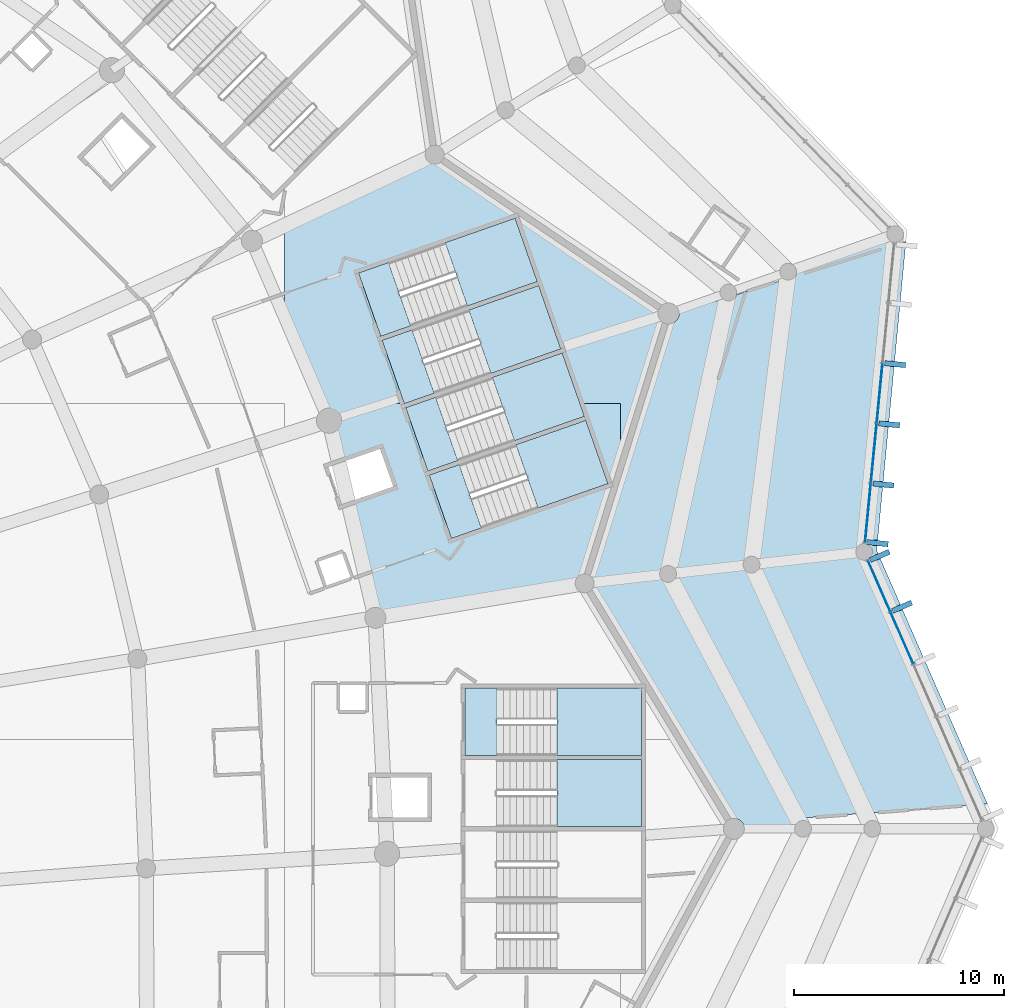
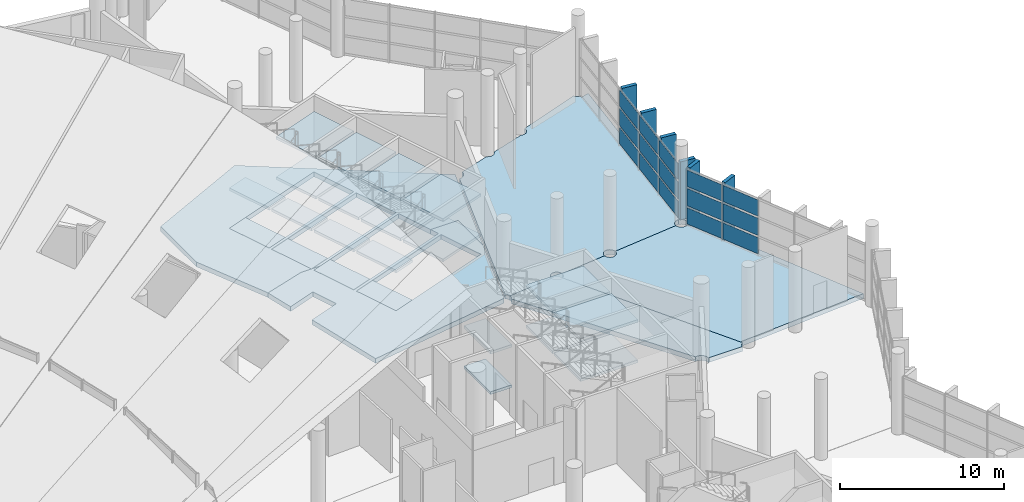
# One storey, part 130 of 249: 27 slabs, 21 plates, 8 elements without a shape of their own.
"""IFC4 building model written with IfcOpenShell, lengths in metres."""

import ifcopenshell
import ifcopenshell.guid

model = None  # the IFC model being written
_history = None  # IfcOwnerHistory: only IFC2X3 demands one
_inside = {}  # id of a spatial element -> (the spatial element, [elements in it])
_under = {}  # id of a project, library or spatial element -> (it, [spatial elements below it])
_declared = {}  # id of a project -> (the project, [libraries it declares])
_typed = {}  # id of a type object -> (the type object, [elements of that type])
_made_of = {}  # id of a material, layer set ... -> (it, [elements and type objects made of it])


def new_model(schema):
    """Start an empty IFC model of exactly this schema.

    Asked for "IFC4X3", IfcOpenShell would pick the latest addendum, in which some entities
    have other attributes; the version numbers below select the first issue.
    IFC2X3 requires an IfcOwnerHistory on every rooted entity: one is made here for all.
    """
    global model, _history
    if schema == "IFC4X3":
        model = ifcopenshell.file(schema_version=(4, 3, 0, 0))
    else:
        model = ifcopenshell.file(schema=schema)
    _inside.clear()
    _under.clear()
    _declared.clear()
    _typed.clear()
    _made_of.clear()
    _history = None
    if model.schema == "IFC2X3":
        org = make("IfcOrganization", Name="unknown")
        user = make(
            "IfcPersonAndOrganization",
            ThePerson=make("IfcPerson", FamilyName="unknown"),
            TheOrganization=org,
        )
        app = make(
            "IfcApplication",
            ApplicationDeveloper=org,
            Version="unknown",
            ApplicationFullName="unknown",
            ApplicationIdentifier="unknown",
        )
        _history = make(
            "IfcOwnerHistory",
            OwningUser=user,
            OwningApplication=app,
            ChangeAction="ADDED",
            CreationDate=0,
        )
    return model


def make(cls, **values):
    """One entity of the class cls with the attributes given. An attribute that is None is left unset."""
    return model.create_entity(
        cls, **{name: value for name, value in values.items() if value is not None}
    )


def rooted(cls, **values):
    """An entity with a GlobalId (a new one), such as an element, a storey or a relation."""
    return make(cls, GlobalId=ifcopenshell.guid.new(), OwnerHistory=_history, **values)


def si_unit(unit_type, name, prefix=None):
    """IfcSIUnit, for example si_unit("LENGTHUNIT", "METRE", prefix="MILLI")."""
    return make("IfcSIUnit", UnitType=unit_type, Prefix=prefix, Name=name)


def assignment(units):
    """IfcUnitAssignment: the units of a project."""
    return None if units is None else make("IfcUnitAssignment", Units=units)


def point(xyz):
    """IfcCartesianPoint."""
    return None if xyz is None else make("IfcCartesianPoint", Coordinates=xyz)


def direction(xyz):
    """IfcDirection."""
    return None if xyz is None else make("IfcDirection", DirectionRatios=xyz)


def frame(location, z_axis=None, x_axis=None):
    """IfcAxis2Placement3D, a coordinate frame: its origin and axes. An axis left out is left unset."""
    return make(
        "IfcAxis2Placement3D",
        Location=point(location),
        Axis=direction(z_axis),
        RefDirection=direction(x_axis),
    )


def frame_2d(location, x_axis=None):
    """IfcAxis2Placement2D, a coordinate frame in the plane: its origin and x axis."""
    return make(
        "IfcAxis2Placement2D", Location=point(location), RefDirection=direction(x_axis)
    )


def origin():
    """The frame at (0, 0, 0) with its axes left unset."""
    return frame((0.0, 0.0, 0.0))


def origin_2d():
    """The frame at (0, 0) in the plane with its x axis left unset."""
    return frame_2d((0.0, 0.0))


def place(relative_to, where):
    """IfcLocalPlacement: puts the frame where relative to a parent placement (None: the world)."""
    return make(
        "IfcLocalPlacement", PlacementRelTo=relative_to, RelativePlacement=where
    )


def context(
    kind, dimensions, precision=None, world=None, true_north=None, identifier=None
):
    """IfcGeometricRepresentationContext, for example the 3D "Model" context."""
    return make(
        "IfcGeometricRepresentationContext",
        ContextIdentifier=identifier,
        ContextType=kind,
        CoordinateSpaceDimension=dimensions,
        Precision=precision,
        WorldCoordinateSystem=world,
        TrueNorth=true_north,
    )


def subcontext(parent, identifier, kind, view, scale=None):
    """IfcGeometricRepresentationSubContext, for example "Body" below "Model"."""
    return make(
        "IfcGeometricRepresentationSubContext",
        ContextIdentifier=identifier,
        ContextType=kind,
        ParentContext=parent,
        TargetScale=scale,
        TargetView=view,
    )


def project(units=None, contexts=None):
    """IfcProject with its units and contexts."""
    return rooted(
        "IfcProject",
        Name="project",
        RepresentationContexts=contexts,
        UnitsInContext=assignment(units),
    )


def spatial(cls, under=None, at=None, **own):
    """A site, building, storey or space (cls), placed at a placement, below another one or the project."""
    s = rooted(cls, ObjectPlacement=at, **own)
    if under is not None:
        _under.setdefault(under.id(), (under, []))[1].append(s)
    return s


def polyline(points):
    """IfcPolyline through the points."""
    return make("IfcPolyline", Points=[point(p) for p in points])


def profile(cls, at=None, kind="AREA", **sizes):
    """A parametric profile (cls). Its sizes go by their IFC names, for example OverallWidth=200.0."""
    return make(cls, ProfileType=kind, Position=at, **sizes)


def rectangle(**sizes):
    """IfcRectangleProfileDef."""
    return profile("IfcRectangleProfileDef", **sizes)


def outline(outer, holes=None, kind="AREA"):
    """IfcArbitraryClosedProfileDef: a profile drawn as a closed curve; with holes, ...WithVoids."""
    if holes is None:
        return make("IfcArbitraryClosedProfileDef", ProfileType=kind, OuterCurve=outer)
    return make(
        "IfcArbitraryProfileDefWithVoids",
        ProfileType=kind,
        OuterCurve=outer,
        InnerCurves=holes,
    )


def extrude(swept, where, along, depth):
    """IfcExtrudedAreaSolid: the profile swept, set in the frame where, extruded along a direction by depth."""
    return make(
        "IfcExtrudedAreaSolid",
        SweptArea=swept,
        Position=where,
        ExtrudedDirection=direction(along),
        Depth=depth,
    )


def shape(context_of_items, identifier, shape_type, items):
    """IfcShapeRepresentation: the items that make up one representation, for example the "Body"."""
    return make(
        "IfcShapeRepresentation",
        ContextOfItems=context_of_items,
        RepresentationIdentifier=identifier,
        RepresentationType=shape_type,
        Items=items,
    )


def material(Name=None, Category=None):
    """IfcMaterial."""
    return make("IfcMaterial", Name=Name, Category=Category)


def layer(
    of_material, thickness, ventilated=None, Name=None, Category=None, Priority=None
):
    """IfcMaterialLayer: one layer of a wall or slab, of a material (None: an air gap)."""
    return make(
        "IfcMaterialLayer",
        Material=of_material,
        LayerThickness=thickness,
        IsVentilated=ventilated,
        Name=Name,
        Category=Category,
        Priority=Priority,
    )


def layer_set(layers, Name=None):
    """IfcMaterialLayerSet."""
    return make("IfcMaterialLayerSet", MaterialLayers=layers, LayerSetName=Name)


def made_of(thing, what):
    """Note that an element or type object is made of a material, layer set ...; save() writes the relation."""
    if what is not None:
        _made_of.setdefault(what.id(), (what, []))[1].append(thing)
    return thing


def type_object(cls, material=None, **own):
    """A type object (cls), such as IfcWallType, which elements share."""
    return made_of(rooted(cls, **own), material)


def element(
    cls,
    number,
    at=None,
    inside=None,
    cuts=None,
    type_object=None,
    material=None,
    context=None,
    identifier="Body",
    shape_type=None,
    held_by="IfcProductDefinitionShape",
    body=None,
    shapes=None,
    **own,
):
    """One element of the class cls, such as IfcWall. Its Tag is "e" and its number.

    at: its placement. inside: the storey or other place that contains it. cuts: it is an
    opening in that element (IfcRelVoidsElement). A single representation is given by context,
    identifier, shape_type and body (its items); several are given by shapes. held_by: the class
    of the entity that holds the representations. save() writes the other relations.
    """
    e = rooted(cls, Tag="e%d" % number, ObjectPlacement=at, **own)
    if body is not None:
        shapes = [shape(context, identifier, shape_type, body)]
    if shapes is not None:
        e.Representation = make(held_by, Representations=shapes)
    if inside is not None:
        _inside.setdefault(inside.id(), (inside, []))[1].append(e)
    if cuts is not None:
        rooted(
            "IfcRelVoidsElement", RelatingBuildingElement=cuts, RelatedOpeningElement=e
        )
    if type_object is not None:
        _typed.setdefault(type_object.id(), (type_object, []))[1].append(e)
    return made_of(e, material)


def aggregate(whole, parts):
    """IfcRelAggregates: a whole, such as a stair, and the parts it consists of."""
    return rooted("IfcRelAggregates", RelatingObject=whole, RelatedObjects=parts)


def save(model, path):
    """Write the relations noted so far, then the file.

    IfcRelAggregates (storeys below a building ...), IfcRelContainedInSpatialStructure (elements
    in a storey), IfcRelDefinesByType, IfcRelAssociatesMaterial and IfcRelDeclares: one each for
    every whole, place, type object, material and project.
    """
    for whole, parts in _under.values():
        aggregate(whole, parts)
    for where, things in _inside.values():
        rooted(
            "IfcRelContainedInSpatialStructure",
            RelatedElements=things,
            RelatingStructure=where,
        )
    for kind, things in _typed.values():
        rooted("IfcRelDefinesByType", RelatedObjects=things, RelatingType=kind)
    for what, things in _made_of.values():
        rooted("IfcRelAssociatesMaterial", RelatedObjects=things, RelatingMaterial=what)
    for by, libraries in _declared.values():
        rooted("IfcRelDeclares", RelatingContext=by, RelatedDefinitions=libraries)
    model.write(path)


model = new_model("IFC4")

# Units and contexts
model_context = context("Model", 3, precision=1e-05, world=origin(), true_north=direction((0.0, 1.0)))
body_context = subcontext(model_context, "Body", "Model", "MODEL_VIEW")
ifc_project = project(units=[si_unit("LENGTHUNIT", "METRE"), si_unit("AREAUNIT", "SQUARE_METRE"), si_unit("VOLUMEUNIT", "CUBIC_METRE"), si_unit("PLANEANGLEUNIT", "RADIAN"), si_unit("MASSUNIT", "GRAM", prefix="KILO")], contexts=[model_context])

# Site, building, storey
site_placement = place(None, origin())
site = spatial("IfcSite", under=ifc_project, at=site_placement, CompositionType="ELEMENT")
building_placement = place(site_placement, origin())
building = spatial("IfcBuilding", under=site, at=building_placement, Name="Meseta Stadium", CompositionType="ELEMENT")
storey_placement = place(building_placement, frame((0.0, 0.0, 12.0)))
storey = spatial("IfcBuildingStorey", under=building, at=storey_placement, Name="L02", CompositionType="ELEMENT", Elevation=12.0)

# Slabs
ifc_material_1 = material(Name="Concrete C40/50", Category="concrete")
ifc_layer_1 = layer(ifc_material_1, 0.35009765625)
ifc_layer_set_1 = layer_set([ifc_layer_1], Name="Floor slab 350")
slab_type_1 = type_object("IfcSlabType", Name="Floor slab 350", PredefinedType="FLOOR", material=ifc_layer_set_1)
slab_1_placement = place(storey_placement, frame((0.0, 0.0, -0.35009765625)))
element("IfcSlab", 1, at=slab_1_placement, inside=storey, type_object=slab_type_1, Name="Floor slab L02 sector 07 panel 15", PredefinedType="FLOOR", context=body_context, shape_type="SweptSolid", body=[
    extrude(outline(polyline([(82.119873046875, 63.19091796875), (82.137451171875, 63.115966796875), (84.95703125, 64.0), (85.7041015625, 64.0), (84.647705078125, 67.01953125), (92.104248046875, 69.62890625), (93.1611328125, 66.6083984375), (85.70703125, 64.0), (86.312255859375, 64.0), (93.227294921875, 66.419677734375), (94.07373046875, 64.0), (96.0, 64.0), (96.0, 60.927734375), (98.291015625, 68.297607421875), (87.15087890625, 75.856689453125), (80.0, 72.48828125), (80.0, 68.13232421875), (82.119873046875, 63.19091796875)]), holes=[polyline([(84.58154296875, 67.208251953125), (83.524658203125, 70.228759765625), (90.981201171875, 72.837890625), (92.0380859375, 69.8173828125), (84.58154296875, 67.208251953125)])]), origin(), (0.0, 0.0, 1.0), 0.35009765625),
])
slab_2_placement = place(storey_placement, frame((0.0, 0.0, -0.35009765625)))
element("IfcSlab", 2, at=slab_2_placement, inside=storey, type_object=slab_type_1, Name="Floor slab L02 sector 07 panel 16", PredefinedType="FLOOR", context=body_context, shape_type="SweptSolid", body=[
    extrude(outline(polyline([(84.3251953125, 53.801513671875), (94.29443359375, 55.44140625), (96.0, 60.927734375), (96.0, 64.0), (94.07373046875, 64.0), (94.2841796875, 63.399169921875), (86.827392578125, 60.789794921875), (85.7705078125, 63.810302734375), (86.312255859375, 64.0), (85.70703125, 64.0), (85.70458984375, 63.9990234375), (85.7041015625, 64.0), (84.956787109375, 64.0), (82.137451171875, 63.115966796875), (82.59619140625, 61.163330078125), (84.55029296875, 61.84716796875), (85.177978515625, 60.0537109375), (83.032958984375, 59.30322265625), (84.3251953125, 53.801513671875)]), holes=[polyline([(95.406982421875, 60.18994140625), (87.950439453125, 57.580810546875), (86.8935546875, 60.601318359375), (94.35009765625, 63.21044921875), (95.406982421875, 60.18994140625)])]), origin(), (0.0, 0.0, 1.0), 0.35009765625),
])
slab_3_placement = place(storey_placement, frame((0.0, 0.0, -0.35009765625)))
element("IfcSlab", 3, at=slab_3_placement, inside=storey, type_object=slab_type_1, Name="Ring floor slab L02 1 part 1 panel 04", PredefinedType="FLOOR", context=body_context, shape_type="SweptSolid", body=[
    extrude(outline(polyline([(97.919921875, 55.6875), (97.879638671875, 55.784912109375), (97.87158203125, 55.844482421875), (94.74169921875, 55.491943359375), (94.748291015625, 55.44140625), (94.73291015625, 55.323974609375), (94.6875, 55.214599609375), (94.64306640625, 55.156494140625), (101.27880859375, 44.23828125), (101.39990234375, 44.25439453125), (101.530517578125, 44.237060546875), (101.652099609375, 44.186767578125), (101.756591796875, 44.106689453125), (101.836669921875, 44.002197265625), (101.88720703125, 43.880615234375), (101.904296875, 43.75), (104.29638671875, 43.75), (104.310302734375, 43.8544921875), (104.3505859375, 43.95166015625), (104.414794921875, 44.035400390625), (104.498291015625, 44.099365234375), (104.511962890625, 44.10498046875), (98.45751953125, 55.5341796875), (98.373779296875, 55.49951171875), (98.269287109375, 55.48583984375), (98.164794921875, 55.49951171875), (98.0673828125, 55.539794921875), (97.98388671875, 55.60400390625), (97.919921875, 55.6875)])), origin(), (0.0, 0.0, 1.0), 0.35009765625),
])
slab_4_placement = place(storey_placement, frame((0.0, 0.0, -0.35009765625)))
element("IfcSlab", 4, at=slab_4_placement, inside=storey, type_object=slab_type_1, Name="Ring floor slab L02 1 part 1 panel 06", PredefinedType="FLOOR", context=body_context, shape_type="SweptSolid", body=[
    extrude(outline(polyline([(94.74169921875, 55.491943359375), (97.87158203125, 55.844482421875), (97.86572265625, 55.889404296875), (97.879638671875, 55.993896484375), (97.919921875, 56.091064453125), (97.98388671875, 56.174560546875), (98.0673828125, 56.23876953125), (98.164794921875, 56.279052734375), (98.269287109375, 56.292724609375), (98.373779296875, 56.279052734375), (98.470947265625, 56.23876953125), (98.554443359375, 56.174560546875), (98.61865234375, 56.091064453125), (98.658935546875, 55.993896484375), (98.666748046875, 55.93408203125), (101.8466796875, 56.29248046875), (101.8408203125, 56.337158203125), (101.8544921875, 56.441650390625), (101.894775390625, 56.538818359375), (101.958740234375, 56.62255859375), (102.04248046875, 56.6865234375), (102.1396484375, 56.726806640625), (102.244140625, 56.740478515625), (102.348388671875, 56.726806640625), (102.44580078125, 56.6865234375), (102.529296875, 56.62255859375), (102.593505859375, 56.538818359375), (102.6337890625, 56.441650390625), (102.6416015625, 56.382080078125), (107.212646484375, 56.89697265625), (107.206787109375, 56.94189453125), (107.220458984375, 57.046142578125), (107.2607421875, 57.1435546875), (107.324951171875, 57.22705078125), (107.408447265625, 57.291259765625), (107.505615234375, 57.33154296875), (107.610107421875, 57.34521484375), (107.649169921875, 57.340087890625), (107.657958984375, 57.430419921875), (108.255615234375, 57.526611328125), (109.601318359375, 71.726806640625), (109.03564453125, 71.54931640625), (109.048095703125, 71.6767578125), (108.982421875, 71.685302734375), (108.88525390625, 71.7255859375), (108.801513671875, 71.789794921875), (108.737548828125, 71.873291015625), (108.708740234375, 71.94287109375), (104.3681640625, 70.423828125), (104.379638671875, 70.39599609375), (104.393310546875, 70.29150390625), (104.379638671875, 70.18701171875), (104.33935546875, 70.08984375), (104.275146484375, 70.00634765625), (104.191650390625, 69.942138671875), (104.094482421875, 69.90185546875), (103.989990234375, 69.88818359375), (103.885498046875, 69.90185546875), (103.84033203125, 69.920654296875), (101.531005859375, 69.196533203125), (101.5302734375, 69.190185546875), (101.489990234375, 69.0927734375), (101.42578125, 69.00927734375), (101.34228515625, 68.945068359375), (101.2451171875, 68.90478515625), (101.140380859375, 68.89111328125), (101.0361328125, 68.90478515625), (100.938720703125, 68.945068359375), (100.8779296875, 68.99169921875), (98.790283203125, 68.337158203125), (98.79541015625, 68.297607421875), (98.7783203125, 68.1669921875), (98.727783203125, 68.04541015625), (98.647705078125, 67.94091796875), (98.543212890625, 67.860595703125), (98.421630859375, 67.810302734375), (98.29150390625, 67.793212890625), (94.563720703125, 55.802001953125), (94.615478515625, 55.762451171875), (94.6875, 55.66845703125), (94.73291015625, 55.558837890625), (94.74169921875, 55.491943359375)])), origin(), (0.0, 0.0, 1.0), 0.35009765625),
])
slab_5_placement = place(storey_placement, frame((0.0, 0.0, -0.35009765625)))
element("IfcSlab", 5, at=slab_5_placement, inside=storey, type_object=slab_type_1, Name="Ring floor slab L02 1 part 1 panel 08", PredefinedType="FLOOR", context=body_context, shape_type="SweptSolid", body=[
    extrude(outline(polyline([(98.666748046875, 55.93408203125), (98.672607421875, 55.889404296875), (98.658935546875, 55.784912109375), (98.61865234375, 55.6875), (98.554443359375, 55.60400390625), (98.470947265625, 55.539794921875), (98.45751953125, 55.5341796875), (104.438232421875, 44.244140625), (113.480712890625, 44.938232421875), (108.206298828125, 57.009033203125), (108.255615234375, 57.526611328125), (107.657958984375, 57.430419921875), (107.649169921875, 57.340087890625), (107.714599609375, 57.33154296875), (107.81201171875, 57.291259765625), (107.8955078125, 57.22705078125), (107.959716796875, 57.1435546875), (108.0, 57.046142578125), (108.013671875, 56.94189453125), (108.0, 56.83740234375), (107.959716796875, 56.739990234375), (107.8955078125, 56.656494140625), (107.81201171875, 56.59228515625), (107.714599609375, 56.552001953125), (107.610107421875, 56.538330078125), (107.505615234375, 56.552001953125), (107.408447265625, 56.59228515625), (107.324951171875, 56.656494140625), (107.2607421875, 56.739990234375), (107.220458984375, 56.83740234375), (107.212646484375, 56.89697265625), (102.6416015625, 56.382080078125), (102.647705078125, 56.337158203125), (102.6337890625, 56.23291015625), (102.593505859375, 56.135498046875), (102.529296875, 56.052001953125), (102.44580078125, 55.98779296875), (102.348388671875, 55.947509765625), (102.244140625, 55.93359375), (102.1396484375, 55.947509765625), (102.04248046875, 55.98779296875), (101.958740234375, 56.052001953125), (101.894775390625, 56.135498046875), (101.8544921875, 56.23291015625), (101.8466796875, 56.29248046875), (98.666748046875, 55.93408203125)])), origin(), (0.0, 0.0, 1.0), 0.35009765625),
])

# Curtain wall, plates
ifc_material_2 = material(Name="Aluminium", Category="aluminium")
ifc_layer_2 = layer(ifc_material_2, 0.199951171875)
ifc_layer_set_2 = layer_set([ifc_layer_2], Name="Ring shopfront curtain wall")
curtain_wall_type = type_object("IfcCurtainWallType", Name="Ring shopfront curtain wall", PredefinedType="NOTDEFINED", material=ifc_layer_set_2)
curtain_wall_1_placement = place(storey_placement, origin())
curtain_wall_1 = element("IfcCurtainWall", 6, at=curtain_wall_1_placement, inside=storey, type_object=curtain_wall_type, Name="Ring glazing L02 F08", PredefinedType="NOTDEFINED")
ifc_material_3 = material(Name="Glass", Category="glass")
ifc_layer_3 = layer(ifc_material_3, 0.035888671875)
ifc_layer_set_3 = layer_set([ifc_layer_3], Name="Ring CW glass panel 36")
plate_type_1 = type_object("IfcPlateType", Name="Ring CW glass panel 36", PredefinedType="CURTAIN_PANEL", material=ifc_layer_set_3)
plate_1_placement = place(storey_placement, frame((109.411376953125, 52.837646484375, 0.14990234375), z_axis=(0.0, 0.0, 1.0), x_axis=(-0.401891921186, 0.915687110145, 0.0)))
plate_1 = element("IfcPlate", 7, at=plate_1_placement, type_object=plate_type_1, Name="CWR1 panel 4.1", PredefinedType="CURTAIN_PANEL", context=body_context, shape_type="SweptSolid", body=[
    extrude(rectangle(XDim=2.661376953125, YDim=0.035888671875, at=origin_2d()), origin(), (0.0, 0.0, 1.0), 1.208251953125),
])
plate_2_placement = place(storey_placement, frame((109.411376953125, 52.837646484375, 1.50830078125), z_axis=(0.0, 0.0, 1.0), x_axis=(-0.401891921186, 0.915687110145, 0.0)))
plate_2 = element("IfcPlate", 8, at=plate_2_placement, type_object=plate_type_1, Name="CWR1 panel 4.2", PredefinedType="CURTAIN_PANEL", context=body_context, shape_type="SweptSolid", body=[
    extrude(rectangle(XDim=2.661376953125, YDim=0.035888671875, at=origin_2d()), origin(), (0.0, 0.0, 1.0), 1.283447265625),
])
plate_3_placement = place(storey_placement, frame((109.411376953125, 52.837646484375, 2.94189453125), z_axis=(0.0, 0.0, 1.0), x_axis=(-0.401891921186, 0.915687110145, 0.0)))
plate_3 = element("IfcPlate", 9, at=plate_3_placement, type_object=plate_type_1, Name="CWR1 panel 4.3", PredefinedType="CURTAIN_PANEL", context=body_context, shape_type="SweptSolid", body=[
    extrude(rectangle(XDim=2.661376953125, YDim=0.035888671875, at=origin_2d()), origin(), (0.0, 0.0, 1.0), 1.208251953125),
])
plate_4_placement = place(storey_placement, frame((108.32373046875, 55.31591796875, 0.14990234375), z_axis=(0.0, 0.0, 1.0), x_axis=(-0.401891921186, 0.915687110145, 0.0)))
plate_4 = element("IfcPlate", 10, at=plate_4_placement, type_object=plate_type_1, Name="CWR1 panel 5.1", PredefinedType="CURTAIN_PANEL", context=body_context, shape_type="SweptSolid", body=[
    extrude(rectangle(XDim=2.63134765625, YDim=0.035888671875, at=origin_2d()), origin(), (0.0, 0.0, 1.0), 1.208251953125),
])
plate_5_placement = place(storey_placement, frame((108.32373046875, 55.31591796875, 1.50830078125), z_axis=(0.0, 0.0, 1.0), x_axis=(-0.401891921186, 0.915687110145, 0.0)))
plate_5 = element("IfcPlate", 11, at=plate_5_placement, type_object=plate_type_1, Name="CWR1 panel 5.2", PredefinedType="CURTAIN_PANEL", context=body_context, shape_type="SweptSolid", body=[
    extrude(rectangle(XDim=2.63134765625, YDim=0.035888671875, at=origin_2d()), origin(), (0.0, 0.0, 1.0), 1.283447265625),
])
plate_6_placement = place(storey_placement, frame((108.32373046875, 55.31591796875, 2.94189453125), z_axis=(0.0, 0.0, 1.0), x_axis=(-0.401891921186, 0.915687110145, 0.0)))
plate_6 = element("IfcPlate", 12, at=plate_6_placement, type_object=plate_type_1, Name="CWR1 panel 5.3", PredefinedType="CURTAIN_PANEL", context=body_context, shape_type="SweptSolid", body=[
    extrude(rectangle(XDim=2.63134765625, YDim=0.035888671875, at=origin_2d()), origin(), (0.0, 0.0, 1.0), 1.208251953125),
])
aggregate(curtain_wall_1, [plate_1, plate_2, plate_3, plate_4, plate_5, plate_6])

curtain_wall_2_placement = place(storey_placement, origin())
curtain_wall_2 = element("IfcCurtainWall", 13, at=curtain_wall_2_placement, inside=storey, type_object=curtain_wall_type, Name="Ring glazing L02 F09", PredefinedType="NOTDEFINED")
plate_7_placement = place(storey_placement, frame((107.790283203125, 58.78857421875, 0.14990234375), z_axis=(0.0, 0.0, 1.0), x_axis=(0.097124618973, 0.995272228282, 0.0)))
plate_7 = element("IfcPlate", 14, at=plate_7_placement, type_object=plate_type_1, Name="CWR1 panel 1.1", PredefinedType="CURTAIN_PANEL", context=body_context, shape_type="SweptSolid", body=[
    extrude(rectangle(XDim=2.791015625, YDim=0.035888671875, at=origin_2d()), origin(), (0.0, 0.0, 1.0), 1.208251953125),
])
plate_8_placement = place(storey_placement, frame((107.790283203125, 58.78857421875, 1.50830078125), z_axis=(0.0, 0.0, 1.0), x_axis=(0.097124618973, 0.995272228282, 0.0)))
plate_8 = element("IfcPlate", 15, at=plate_8_placement, type_object=plate_type_1, Name="CWR1 panel 1.2", PredefinedType="CURTAIN_PANEL", context=body_context, shape_type="SweptSolid", body=[
    extrude(rectangle(XDim=2.791015625, YDim=0.035888671875, at=origin_2d()), origin(), (0.0, 0.0, 1.0), 1.283447265625),
])
plate_9_placement = place(storey_placement, frame((107.790283203125, 58.78857421875, 2.94189453125), z_axis=(0.0, 0.0, 1.0), x_axis=(0.097124618973, 0.995272228282, 0.0)))
plate_9 = element("IfcPlate", 16, at=plate_9_placement, type_object=plate_type_1, Name="CWR1 panel 1.3", PredefinedType="CURTAIN_PANEL", context=body_context, shape_type="SweptSolid", body=[
    extrude(rectangle(XDim=2.791015625, YDim=0.035888671875, at=origin_2d()), origin(), (0.0, 0.0, 1.0), 1.208251953125),
])
plate_10_placement = place(storey_placement, frame((108.06884765625, 61.64111328125, 0.14990234375), z_axis=(0.0, 0.0, 1.0), x_axis=(0.097124618973, 0.995272228282, 0.0)))
plate_10 = element("IfcPlate", 17, at=plate_10_placement, type_object=plate_type_1, Name="CWR1 panel 2.1", PredefinedType="CURTAIN_PANEL", context=body_context, shape_type="SweptSolid", body=[
    extrude(rectangle(XDim=2.821044921875, YDim=0.035888671875, at=origin_2d()), origin(), (0.0, 0.0, 1.0), 1.208251953125),
])
plate_11_placement = place(storey_placement, frame((108.06884765625, 61.64111328125, 1.50830078125), z_axis=(0.0, 0.0, 1.0), x_axis=(0.097124618973, 0.995272228282, 0.0)))
plate_11 = element("IfcPlate", 18, at=plate_11_placement, type_object=plate_type_1, Name="CWR1 panel 2.2", PredefinedType="CURTAIN_PANEL", context=body_context, shape_type="SweptSolid", body=[
    extrude(rectangle(XDim=2.821044921875, YDim=0.035888671875, at=origin_2d()), origin(), (0.0, 0.0, 1.0), 1.283447265625),
])
plate_12_placement = place(storey_placement, frame((108.06884765625, 61.64111328125, 2.94189453125), z_axis=(0.0, 0.0, 1.0), x_axis=(0.097124618973, 0.995272228282, 0.0)))
plate_12 = element("IfcPlate", 19, at=plate_12_placement, type_object=plate_type_1, Name="CWR1 panel 2.3", PredefinedType="CURTAIN_PANEL", context=body_context, shape_type="SweptSolid", body=[
    extrude(rectangle(XDim=2.821044921875, YDim=0.035888671875, at=origin_2d()), origin(), (0.0, 0.0, 1.0), 1.208251953125),
])
plate_13_placement = place(storey_placement, frame((108.3486328125, 64.508544921875, 0.14990234375), z_axis=(0.0, 0.0, 1.0), x_axis=(0.097124618973, 0.995272228282, 0.0)))
plate_13 = element("IfcPlate", 20, at=plate_13_placement, type_object=plate_type_1, Name="CWR1 panel 3.1", PredefinedType="CURTAIN_PANEL", context=body_context, shape_type="SweptSolid", body=[
    extrude(rectangle(XDim=2.821044921875, YDim=0.035888671875, at=origin_2d()), origin(), (0.0, 0.0, 1.0), 1.208251953125),
])
plate_14_placement = place(storey_placement, frame((108.3486328125, 64.508544921875, 1.50830078125), z_axis=(0.0, 0.0, 1.0), x_axis=(0.097124618973, 0.995272228282, 0.0)))
plate_14 = element("IfcPlate", 21, at=plate_14_placement, type_object=plate_type_1, Name="CWR1 panel 3.2", PredefinedType="CURTAIN_PANEL", context=body_context, shape_type="SweptSolid", body=[
    extrude(rectangle(XDim=2.821044921875, YDim=0.035888671875, at=origin_2d()), origin(), (0.0, 0.0, 1.0), 1.283447265625),
])
plate_15_placement = place(storey_placement, frame((108.3486328125, 64.508544921875, 2.94189453125), z_axis=(0.0, 0.0, 1.0), x_axis=(0.097124618973, 0.995272228282, 0.0)))
plate_15 = element("IfcPlate", 22, at=plate_15_placement, type_object=plate_type_1, Name="CWR1 panel 3.3", PredefinedType="CURTAIN_PANEL", context=body_context, shape_type="SweptSolid", body=[
    extrude(rectangle(XDim=2.821044921875, YDim=0.035888671875, at=origin_2d()), origin(), (0.0, 0.0, 1.0), 1.208251953125),
])
aggregate(curtain_wall_2, [plate_7, plate_8, plate_9, plate_10, plate_11, plate_12, plate_13, plate_14, plate_15])

# Plates
ifc_material_4 = material(Name="Precast concrete C40/50", Category="concrete")
ifc_layer_4 = layer(ifc_material_4, 0.25)
ifc_layer_set_4 = layer_set([ifc_layer_4], Name="Ring brise-soleil fin 250x1000")
plate_type_2 = type_object("IfcPlateType", Name="Ring brise-soleil fin 250x1000", PredefinedType="USERDEFINED", material=ifc_layer_set_4)
for number, where, z_axis, x_axis, name in (
    (23, (109.4140625, 54.32470703125, 0.0), (0.0, 0.0, 1.0), (-0.401891841261, 0.915687145224, 0.0), "Brise-soleil fin L02 F08.5"),
    (24, (108.3505859375, 56.748046875, 0.0), (0.0, 0.0, 1.0), (-0.401891841261, 0.915687145224, 0.0), "Brise-soleil fin L02 F08.6"),
    (25, (108.25341796875, 57.356201171875, 0.0), (0.0, 0.0, 1.0), (0.097122584472, 0.995272426819, 0.0), "Brise-soleil fin L02 F09.1"),
    (26, (108.52587890625, 60.14892578125, 0.0), (0.0, 0.0, 1.0), (0.097122584472, 0.995272426819, 0.0), "Brise-soleil fin L02 F09.2"),
    (27, (108.805908203125, 63.0166015625, 0.0), (0.0, 0.0, 1.0), (0.097122584472, 0.995272426819, 0.0), "Brise-soleil fin L02 F09.3"),
    (28, (109.085693359375, 65.8837890625, 0.0), (0.0, 0.0, 1.0), (0.097122584472, 0.995272426819, 0.0), "Brise-soleil fin L02 F09.4"),
):
    element("IfcPlate", number, at=place(storey_placement, frame(where, z_axis=z_axis, x_axis=x_axis)), inside=storey, type_object=plate_type_2, Name=name, ObjectType="FIN", PredefinedType="USERDEFINED", context=body_context, shape_type="SweptSolid", body=[
        extrude(rectangle(XDim=0.25, YDim=1.0, at=origin_2d()), origin(), (0.0, 0.0, 1.0), 4.300048828125),
    ])

# Stair, slabs
ifc_material_5 = material(Name="Concrete C40/50", Category="concrete")
stair_type = type_object("IfcStairType", Name="Exit stair 4 flights 150 mm risers", PredefinedType="HALF_TURN_STAIR", material=ifc_material_5)
stair_1_placement = place(storey_placement, origin())
stair_1 = element("IfcStair", 29, at=stair_1_placement, inside=storey, type_object=stair_type, Name="ST19 L02", PredefinedType="HALF_TURN_STAIR")
ifc_material_6 = material(Name="Concrete C40/50", Category="concrete")
ifc_layer_5 = layer(ifc_material_6, 0.199951171875)
ifc_layer_set_5 = layer_set([ifc_layer_5], Name="Stair landing 200")
slab_type_2 = type_object("IfcSlabType", Name="Stair landing 200", PredefinedType="LANDING", material=ifc_layer_set_5)
slab_6_placement = place(storey_placement, frame((0.0, 0.0, 1.300048828125)))
slab_6 = element("IfcSlab", 30, at=slab_6_placement, type_object=slab_type_2, Name="ST19 L02 landing 1", PredefinedType="LANDING", context=body_context, shape_type="SweptSolid", body=[
    extrude(outline(polyline([(92.969970703125, 43.85009765625), (97.0, 43.85009765625), (97.0, 47.050048828125), (92.969970703125, 47.050048828125), (92.969970703125, 43.85009765625)])), origin(), (0.0, 0.0, 1.0), 0.199951171875),
])
slab_7_placement = place(storey_placement, frame((0.0, 0.0, 4.300048828125)))
slab_7 = element("IfcSlab", 31, at=slab_7_placement, type_object=slab_type_2, Name="ST19 L02 landing 3", PredefinedType="LANDING", context=body_context, shape_type="SweptSolid", body=[
    extrude(outline(polyline([(92.969970703125, 43.85009765625), (97.0, 43.85009765625), (97.0, 47.050048828125), (92.969970703125, 47.050048828125), (92.969970703125, 43.85009765625)])), origin(), (0.0, 0.0, 1.0), 0.199951171875),
])
aggregate(stair_1, [slab_6, slab_7])

stair_2_placement = place(storey_placement, origin())
stair_2 = element("IfcStair", 32, at=stair_2_placement, inside=storey, type_object=stair_type, Name="ST20 L02", PredefinedType="HALF_TURN_STAIR")
slab_8_placement = place(storey_placement, frame((0.0, 0.0, 1.300048828125)))
slab_8 = element("IfcSlab", 33, at=slab_8_placement, type_object=slab_type_2, Name="ST20 L02 landing 1", PredefinedType="LANDING", context=body_context, shape_type="SweptSolid", body=[
    extrude(outline(polyline([(92.969970703125, 47.25), (97.0, 47.25), (97.0, 50.449951171875), (92.969970703125, 50.449951171875), (92.969970703125, 47.25)])), origin(), (0.0, 0.0, 1.0), 0.199951171875),
])
slab_9_placement = place(storey_placement, frame((0.0, 0.0, 2.800048828125)))
slab_9 = element("IfcSlab", 34, at=slab_9_placement, type_object=slab_type_2, Name="ST20 L02 landing 2", PredefinedType="LANDING", context=body_context, shape_type="SweptSolid", body=[
    extrude(outline(polyline([(88.60009765625, 47.25), (90.110107421875, 47.25), (90.110107421875, 50.449951171875), (88.60009765625, 50.449951171875), (88.60009765625, 47.25)])), origin(), (0.0, 0.0, 1.0), 0.199951171875),
])
slab_10_placement = place(storey_placement, frame((0.0, 0.0, 4.300048828125)))
slab_10 = element("IfcSlab", 35, at=slab_10_placement, type_object=slab_type_2, Name="ST20 L02 landing 3", PredefinedType="LANDING", context=body_context, shape_type="SweptSolid", body=[
    extrude(outline(polyline([(92.969970703125, 47.25), (97.0, 47.25), (97.0, 50.449951171875), (92.969970703125, 50.449951171875), (92.969970703125, 47.25)])), origin(), (0.0, 0.0, 1.0), 0.199951171875),
])
slab_11_placement = place(storey_placement, frame((0.0, 0.0, -0.199951171875)))
slab_11 = element("IfcSlab", 36, at=slab_11_placement, type_object=slab_type_2, Name="ST20 L02 landing 4", PredefinedType="LANDING", context=body_context, shape_type="SweptSolid", body=[
    extrude(outline(polyline([(88.60009765625, 47.25), (90.110107421875, 47.25), (90.110107421875, 50.449951171875), (88.60009765625, 50.449951171875), (88.60009765625, 47.25)])), origin(), (0.0, 0.0, 1.0), 0.199951171875),
])
aggregate(stair_2, [slab_8, slab_9, slab_10, slab_11])

stair_3_placement = place(storey_placement, origin())
stair_3 = element("IfcStair", 37, at=stair_3_placement, inside=storey, type_object=stair_type, Name="ST21 L02", PredefinedType="HALF_TURN_STAIR")
slab_12_placement = place(storey_placement, frame((0.0, 0.0, 1.300048828125)))
slab_12 = element("IfcSlab", 38, at=slab_12_placement, type_object=slab_type_2, Name="ST21 L02 landing 1", PredefinedType="LANDING", context=body_context, shape_type="SweptSolid", body=[
    extrude(outline(polyline([(92.0751953125, 59.024169921875), (95.406982421875, 60.18994140625), (94.35009765625, 63.21044921875), (91.018310546875, 62.04443359375), (92.0751953125, 59.024169921875)])), origin(), (0.0, 0.0, 1.0), 0.199951171875),
])
slab_13_placement = place(storey_placement, frame((0.0, 0.0, 2.800048828125)))
slab_13 = element("IfcSlab", 39, at=slab_13_placement, type_object=slab_type_2, Name="ST21 L02 landing 2", PredefinedType="LANDING", context=body_context, shape_type="SweptSolid", body=[
    extrude(outline(polyline([(87.950439453125, 57.580810546875), (89.375732421875, 58.079345703125), (88.31884765625, 61.099853515625), (86.8935546875, 60.60107421875), (87.950439453125, 57.580810546875)])), origin(), (0.0, 0.0, 1.0), 0.199951171875),
])
slab_14_placement = place(storey_placement, frame((0.0, 0.0, 4.300048828125)))
slab_14 = element("IfcSlab", 40, at=slab_14_placement, type_object=slab_type_2, Name="ST21 L02 landing 3", PredefinedType="LANDING", context=body_context, shape_type="SweptSolid", body=[
    extrude(outline(polyline([(92.0751953125, 59.024169921875), (95.406982421875, 60.18994140625), (94.35009765625, 63.21044921875), (91.018310546875, 62.04443359375), (92.0751953125, 59.024169921875)])), origin(), (0.0, 0.0, 1.0), 0.199951171875),
])
slab_15_placement = place(storey_placement, frame((0.0, 0.0, -0.199951171875)))
slab_15 = element("IfcSlab", 41, at=slab_15_placement, type_object=slab_type_2, Name="ST21 L02 landing 4", PredefinedType="LANDING", context=body_context, shape_type="SweptSolid", body=[
    extrude(outline(polyline([(87.950439453125, 57.580810546875), (89.375732421875, 58.079345703125), (88.31884765625, 61.099853515625), (86.8935546875, 60.60107421875), (87.950439453125, 57.580810546875)])), origin(), (0.0, 0.0, 1.0), 0.199951171875),
])
aggregate(stair_3, [slab_12, slab_13, slab_14, slab_15])

stair_4_placement = place(storey_placement, origin())
stair_4 = element("IfcStair", 42, at=stair_4_placement, inside=storey, type_object=stair_type, Name="ST22 L02", PredefinedType="HALF_TURN_STAIR")
slab_16_placement = place(storey_placement, frame((0.0, 0.0, 1.300048828125)))
slab_16 = element("IfcSlab", 43, at=slab_16_placement, type_object=slab_type_2, Name="ST22 L02 landing 1", PredefinedType="LANDING", context=body_context, shape_type="SweptSolid", body=[
    extrude(outline(polyline([(90.9521484375, 62.233154296875), (94.2841796875, 63.399169921875), (93.227294921875, 66.419677734375), (89.895263671875, 65.253662109375), (90.9521484375, 62.233154296875)])), origin(), (0.0, 0.0, 1.0), 0.199951171875),
])
slab_17_placement = place(storey_placement, frame((0.0, 0.0, 2.800048828125)))
slab_17 = element("IfcSlab", 44, at=slab_17_placement, type_object=slab_type_2, Name="ST22 L02 landing 2", PredefinedType="LANDING", context=body_context, shape_type="SweptSolid", body=[
    extrude(outline(polyline([(86.827392578125, 60.7900390625), (88.252685546875, 61.28857421875), (87.19580078125, 64.30908203125), (85.7705078125, 63.810302734375), (86.827392578125, 60.7900390625)])), origin(), (0.0, 0.0, 1.0), 0.199951171875),
])
slab_18_placement = place(storey_placement, frame((0.0, 0.0, 4.300048828125)))
slab_18 = element("IfcSlab", 45, at=slab_18_placement, type_object=slab_type_2, Name="ST22 L02 landing 3", PredefinedType="LANDING", context=body_context, shape_type="SweptSolid", body=[
    extrude(outline(polyline([(90.9521484375, 62.233154296875), (94.2841796875, 63.399169921875), (93.227294921875, 66.419677734375), (89.895263671875, 65.253662109375), (90.9521484375, 62.233154296875)])), origin(), (0.0, 0.0, 1.0), 0.199951171875),
])
slab_19_placement = place(storey_placement, frame((0.0, 0.0, -0.199951171875)))
slab_19 = element("IfcSlab", 46, at=slab_19_placement, type_object=slab_type_2, Name="ST22 L02 landing 4", PredefinedType="LANDING", context=body_context, shape_type="SweptSolid", body=[
    extrude(outline(polyline([(86.827392578125, 60.7900390625), (88.252685546875, 61.28857421875), (87.19580078125, 64.30908203125), (85.7705078125, 63.810302734375), (86.827392578125, 60.7900390625)])), origin(), (0.0, 0.0, 1.0), 0.199951171875),
])
aggregate(stair_4, [slab_16, slab_17, slab_18, slab_19])

stair_5_placement = place(storey_placement, origin())
stair_5 = element("IfcStair", 47, at=stair_5_placement, inside=storey, type_object=stair_type, Name="ST23 L02", PredefinedType="HALF_TURN_STAIR")
slab_20_placement = place(storey_placement, frame((0.0, 0.0, 1.300048828125)))
slab_20 = element("IfcSlab", 48, at=slab_20_placement, type_object=slab_type_2, Name="ST23 L02 landing 1", PredefinedType="LANDING", context=body_context, shape_type="SweptSolid", body=[
    extrude(outline(polyline([(89.829345703125, 65.4423828125), (93.1611328125, 66.6083984375), (92.104248046875, 69.628662109375), (88.772216796875, 68.462890625), (89.829345703125, 65.4423828125)])), origin(), (0.0, 0.0, 1.0), 0.199951171875),
])
slab_21_placement = place(storey_placement, frame((0.0, 0.0, 2.800048828125)))
slab_21 = element("IfcSlab", 49, at=slab_21_placement, type_object=slab_type_2, Name="ST23 L02 landing 2", PredefinedType="LANDING", context=body_context, shape_type="SweptSolid", body=[
    extrude(outline(polyline([(85.704345703125, 63.9990234375), (87.129638671875, 64.497802734375), (86.07275390625, 67.518310546875), (84.6474609375, 67.01953125), (85.704345703125, 63.9990234375)])), origin(), (0.0, 0.0, 1.0), 0.199951171875),
])
slab_22_placement = place(storey_placement, frame((0.0, 0.0, 4.300048828125)))
slab_22 = element("IfcSlab", 50, at=slab_22_placement, type_object=slab_type_2, Name="ST23 L02 landing 3", PredefinedType="LANDING", context=body_context, shape_type="SweptSolid", body=[
    extrude(outline(polyline([(89.829345703125, 65.4423828125), (93.1611328125, 66.6083984375), (92.104248046875, 69.628662109375), (88.772216796875, 68.462890625), (89.829345703125, 65.4423828125)])), origin(), (0.0, 0.0, 1.0), 0.199951171875),
])
slab_23_placement = place(storey_placement, frame((0.0, 0.0, -0.199951171875)))
slab_23 = element("IfcSlab", 51, at=slab_23_placement, type_object=slab_type_2, Name="ST23 L02 landing 4", PredefinedType="LANDING", context=body_context, shape_type="SweptSolid", body=[
    extrude(outline(polyline([(85.704345703125, 63.9990234375), (87.129638671875, 64.497802734375), (86.07275390625, 67.518310546875), (84.6474609375, 67.01953125), (85.704345703125, 63.9990234375)])), origin(), (0.0, 0.0, 1.0), 0.199951171875),
])
aggregate(stair_5, [slab_20, slab_21, slab_22, slab_23])

stair_6_placement = place(storey_placement, origin())
stair_6 = element("IfcStair", 52, at=stair_6_placement, inside=storey, type_object=stair_type, Name="ST24 L02", PredefinedType="HALF_TURN_STAIR")
slab_24_placement = place(storey_placement, frame((0.0, 0.0, 1.300048828125)))
slab_24 = element("IfcSlab", 53, at=slab_24_placement, type_object=slab_type_2, Name="ST24 L02 landing 1", PredefinedType="LANDING", context=body_context, shape_type="SweptSolid", body=[
    extrude(outline(polyline([(88.706298828125, 68.651611328125), (92.0380859375, 69.817626953125), (90.981201171875, 72.837890625), (87.6494140625, 71.672119140625), (88.706298828125, 68.651611328125)])), origin(), (0.0, 0.0, 1.0), 0.199951171875),
])
slab_25_placement = place(storey_placement, frame((0.0, 0.0, 2.800048828125)))
slab_25 = element("IfcSlab", 54, at=slab_25_placement, type_object=slab_type_2, Name="ST24 L02 landing 2", PredefinedType="LANDING", context=body_context, shape_type="SweptSolid", body=[
    extrude(outline(polyline([(84.58154296875, 67.208251953125), (86.0068359375, 67.70703125), (84.949951171875, 70.7275390625), (83.524658203125, 70.228759765625), (84.58154296875, 67.208251953125)])), origin(), (0.0, 0.0, 1.0), 0.199951171875),
])
slab_26_placement = place(storey_placement, frame((0.0, 0.0, 4.300048828125)))
slab_26 = element("IfcSlab", 55, at=slab_26_placement, type_object=slab_type_2, Name="ST24 L02 landing 3", PredefinedType="LANDING", context=body_context, shape_type="SweptSolid", body=[
    extrude(outline(polyline([(88.706298828125, 68.651611328125), (92.0380859375, 69.817626953125), (90.981201171875, 72.837890625), (87.6494140625, 71.672119140625), (88.706298828125, 68.651611328125)])), origin(), (0.0, 0.0, 1.0), 0.199951171875),
])
slab_27_placement = place(storey_placement, frame((0.0, 0.0, -0.199951171875)))
slab_27 = element("IfcSlab", 56, at=slab_27_placement, type_object=slab_type_2, Name="ST24 L02 landing 4", PredefinedType="LANDING", context=body_context, shape_type="SweptSolid", body=[
    extrude(outline(polyline([(84.58154296875, 67.208251953125), (86.0068359375, 67.70703125), (84.949951171875, 70.7275390625), (83.524658203125, 70.228759765625), (84.58154296875, 67.208251953125)])), origin(), (0.0, 0.0, 1.0), 0.199951171875),
])
aggregate(stair_6, [slab_24, slab_25, slab_26, slab_27])

save(model, "model.ifc")
